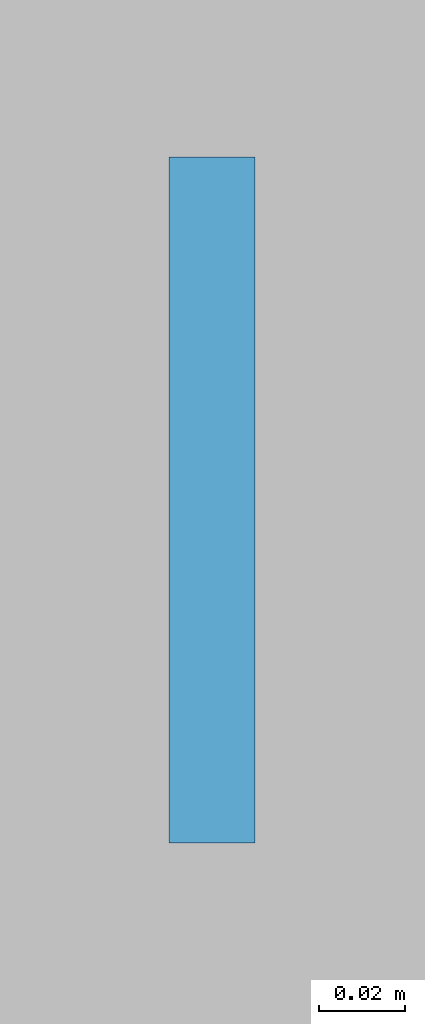
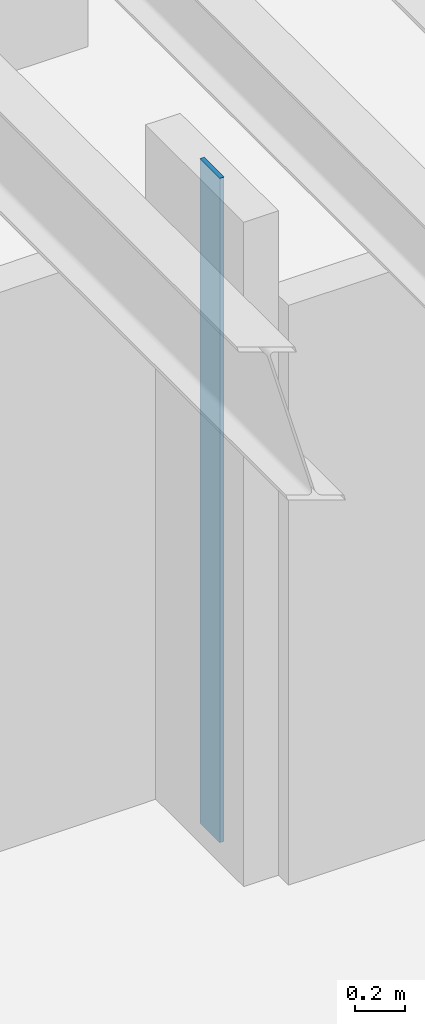
# One storey, part 2 of 12: 1 plate.
"""IFC4 building model written with IfcOpenShell, lengths in metres."""

from ifc_helpers import new_model, si_unit, direction, frame, origin, origin_2d, place, context, subcontext, project, spatial, rectangle, extrude, material, layer, layer_set, type_object, element, save


model = new_model("IFC4")

# Units and contexts
model_context = context("Model", 3, precision=1e-05, world=origin(), true_north=direction((0.0, 1.0)))
body_context = subcontext(model_context, "Body", "Model", "MODEL_VIEW")
ifc_project = project(units=[si_unit("LENGTHUNIT", "METRE"), si_unit("AREAUNIT", "SQUARE_METRE"), si_unit("VOLUMEUNIT", "CUBIC_METRE"), si_unit("PLANEANGLEUNIT", "RADIAN"), si_unit("MASSUNIT", "GRAM", prefix="KILO")], contexts=[model_context])

# Site, building, storey
site_placement = place(None, origin())
site = spatial("IfcSite", under=ifc_project, at=site_placement, CompositionType="ELEMENT")
building_placement = place(site_placement, origin())
building = spatial("IfcBuilding", under=site, at=building_placement, Name="Miruveldt Soraemaru", CompositionType="ELEMENT")
storey_placement = place(building_placement, frame((0.0, 0.0, 103.89990234375)))
storey = spatial("IfcBuildingStorey", under=building, at=storey_placement, Name="L28", CompositionType="ELEMENT", Elevation=103.89990234375)

# Plate
ifc_material = material(Name="Anodised aluminium EN AW-6063 T6", Category="aluminium")
ifc_layer = layer(ifc_material, 0.02001953125, Name="Anodised aluminium EN AW-6063 T6", Category="aluminium")
ifc_layer_set = layer_set([ifc_layer], Name="Anodised aluminium EN AW-6063 T6")
plate_type = type_object("IfcPlateType", Name="PLT-PART-TRIM", PredefinedType="SHEET", material=ifc_layer_set)
plate_placement = place(storey_placement, frame((29.697021484375, 45.021484375, 0.0), z_axis=(0.0, 0.0, 1.0), x_axis=(0.0, -1.0, 0.0)))
element("IfcPlate", 1, at=plate_placement, inside=storey, type_object=plate_type, Name="L28 Partition Step Corner Trim Plate 042", PredefinedType="SHEET", context=body_context, shape_type="SweptSolid", body=[
    extrude(rectangle(XDim=0.159912109375, YDim=0.02001953125, at=origin_2d()), origin(), (0.0, 0.0, 1.0), 3.235107421875),
])

save(model, "model.ifc")
